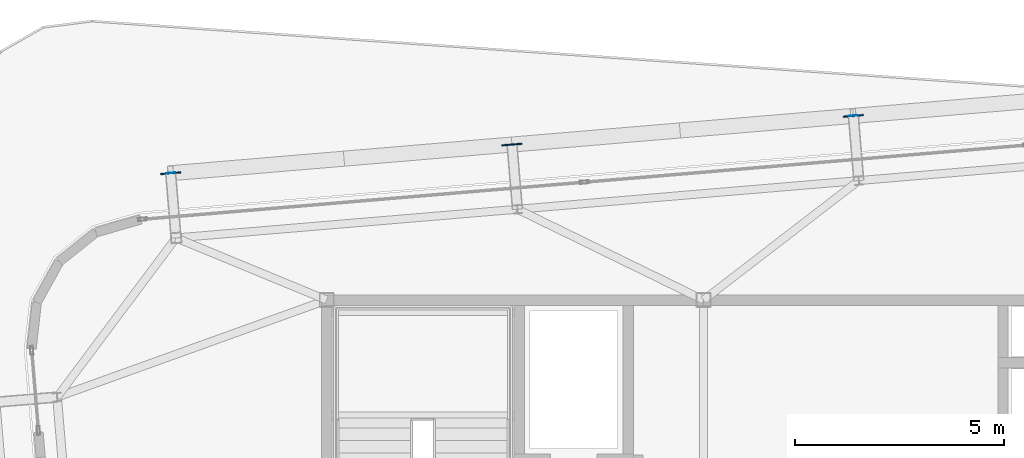
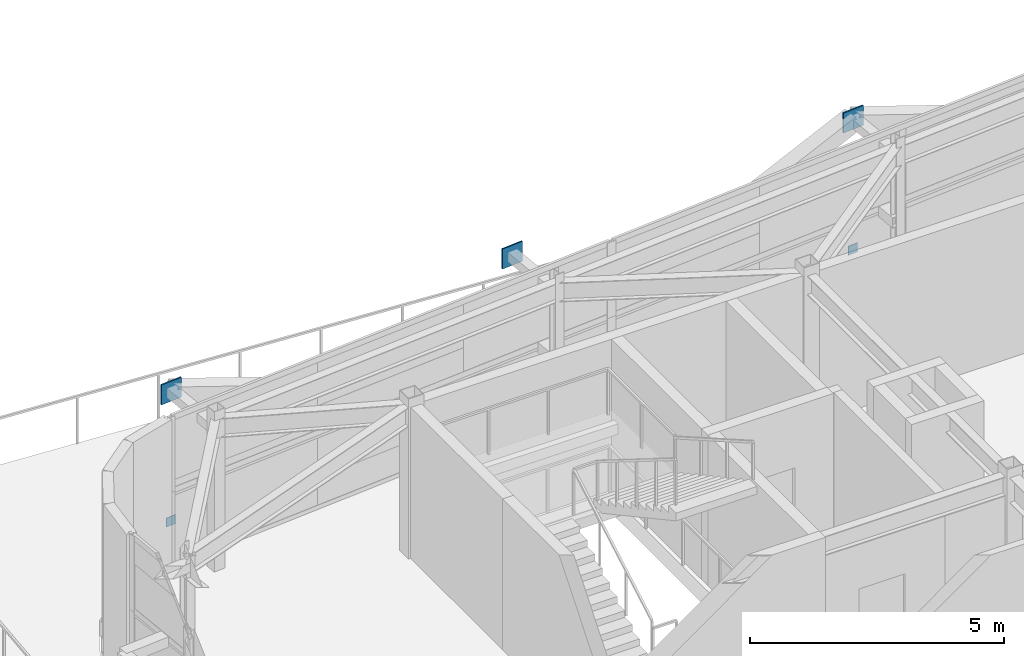
# One storey, part 30 of 38: 5 plates.
"""IFC4 building model written with IfcOpenShell, lengths in metres."""

from ifc_helpers import new_model, si_unit, direction, frame, origin, origin_2d, place, context, subcontext, project, spatial, rectangle, extrude, source, transform, mapped, material, layer, layer_set, type_object, element, save


model = new_model("IFC4")

# Units and contexts
model_context = context("Model", 3, precision=1e-05, world=origin(), true_north=direction((0.0, 1.0)))
body_context = subcontext(model_context, "Body", "Model", "MODEL_VIEW")
ifc_project = project(units=[si_unit("LENGTHUNIT", "METRE"), si_unit("AREAUNIT", "SQUARE_METRE"), si_unit("VOLUMEUNIT", "CUBIC_METRE"), si_unit("PLANEANGLEUNIT", "RADIAN"), si_unit("MASSUNIT", "GRAM", prefix="KILO")], contexts=[model_context])

# Site, building, storey
site_placement = place(None, origin())
site = spatial("IfcSite", under=ifc_project, at=site_placement, CompositionType="ELEMENT")
building_placement = place(site_placement, origin())
building = spatial("IfcBuilding", under=site, at=building_placement, Name="Taldren Reach Tower", CompositionType="ELEMENT")
storey_placement = place(building_placement, frame((0.0, 0.0, 168.699951171875)))
storey = spatial("IfcBuildingStorey", under=building, at=storey_placement, Name="L51", CompositionType="ELEMENT", Elevation=168.699951171875)

# Plates
ifc_material = material(Name="Steel Gr 450 (C450L0)", Category="steel")
ifc_layer_1 = layer(ifc_material, 0.031982421875)
ifc_layer_set_1 = layer_set([ifc_layer_1], Name="Steel Gr 450 (C450L0)")
plate_type_1 = type_object("IfcPlateType", Name="PL-GUSSET-32", PredefinedType="SHEET", material=ifc_layer_set_1)
shared_shape_1 = source(origin(), body_context, "Body", "SweptSolid", [
    extrude(rectangle(XDim=0.47998046875, YDim=0.031982421875, at=origin_2d()), origin(), (0.0, 0.0, 1.0), 0.47998046875),
])
for number, where, z_axis, x_axis, name in (
    (1, (15.274169921875, 35.028076171875, 3.110107421875), (0.0, 0.0, 1.0), (0.99649285925, 0.083677843332, 0.0), "Exoskeleton star-node gusset plate B4-N1 L51"),
    (2, (23.42529296875, 35.712646484375, 3.110107421875), (0.0, 0.0, 1.0), (0.99649285925, 0.083677843332, 0.0), "Exoskeleton star-node gusset plate B4-N2 L51"),
    (3, (31.57666015625, 36.39697265625, 3.110107421875), (0.0, 0.0, 1.0), (0.99649285925, 0.083677843332, 0.0), "Exoskeleton star-node gusset plate B4-N3 L51"),
):
    element("IfcPlate", number, at=place(storey_placement, frame(where, z_axis=z_axis, x_axis=x_axis)), inside=storey, type_object=plate_type_1, Name=name, PredefinedType="SHEET", context=body_context, shape_type="MappedRepresentation", body=[
        mapped(shared_shape_1, transform((0.0, 0.0, 0.0), scale=1.0)),
    ])
ifc_layer_2 = layer(ifc_material, 0.011962890625)
ifc_layer_set_2 = layer_set([ifc_layer_2], Name="Steel Gr 450 (C450L0)")
plate_type_2 = type_object("IfcPlateType", Name="PL-CAP-220", PredefinedType="SHEET", material=ifc_layer_set_2)
shared_shape_2 = source(origin(), body_context, "Body", "SweptSolid", [
    extrude(rectangle(XDim=0.219970703125, YDim=0.011962890625, at=origin_2d()), origin(), (0.0, 0.0, 1.0), 0.219970703125),
])
for number, where, z_axis, x_axis, name in (
    (4, (15.273681640625, 35.0341796875, 0.10986328125), (0.0, 0.0, 1.0), (0.99649285925, 0.083677843332, 0.0), "Tie strut end cap plate B4-N1 L51"),
    (5, (31.576171875, 36.403076171875, 0.10986328125), (0.0, 0.0, 1.0), (0.99649285925, 0.083677843332, 0.0), "Tie strut end cap plate B4-N3 L51"),
):
    element("IfcPlate", number, at=place(storey_placement, frame(where, z_axis=z_axis, x_axis=x_axis)), inside=storey, type_object=plate_type_2, Name=name, PredefinedType="SHEET", context=body_context, shape_type="MappedRepresentation", body=[
        mapped(shared_shape_2, transform((0.0, 0.0, 0.0), scale=1.0)),
    ])

save(model, "model.ifc")
